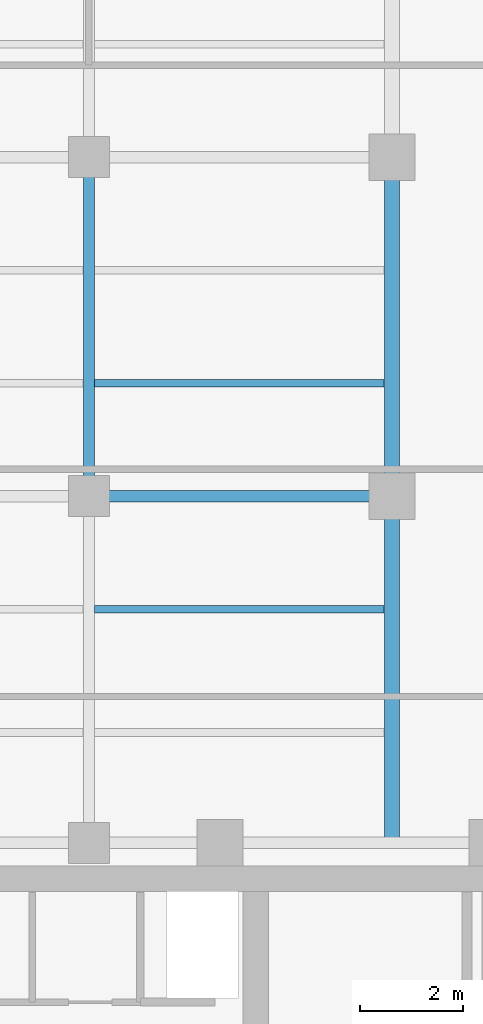
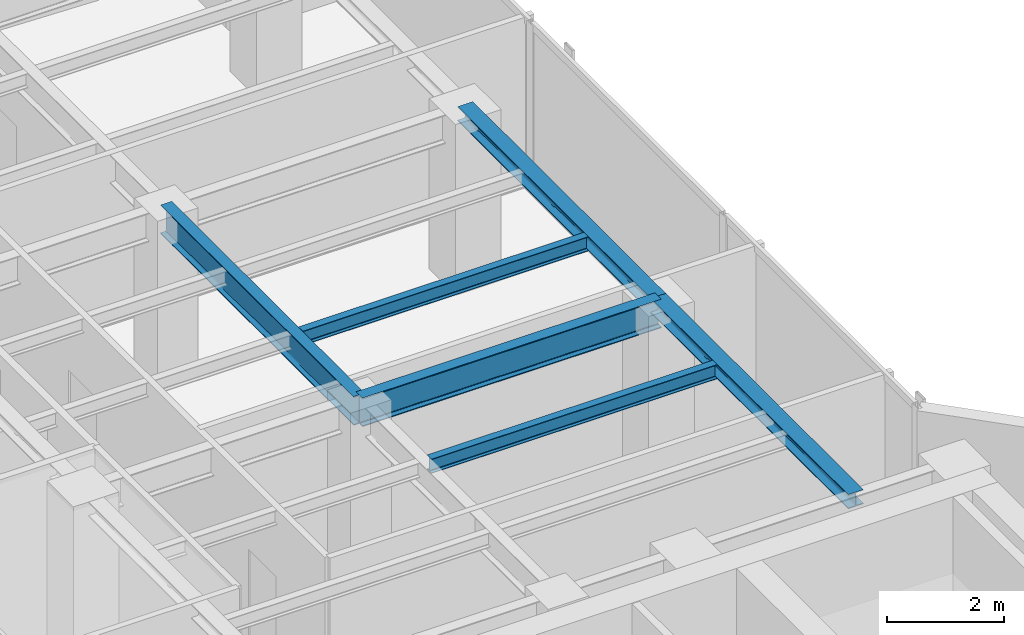
# One storey, part 8 of 23: 6 beams.
"""IFC4 building model written with IfcOpenShell, lengths in metres."""

from ifc_helpers import new_model, si_unit, direction, frame, origin, origin_2d, place, context, subcontext, project, spatial, i_section, extrude, material, material_profile, profile_set, type_object, element, save


model = new_model("IFC4")

# Units and contexts
model_context = context("Model", 3, precision=1e-05, world=origin(), true_north=direction((0.0, 1.0)))
body_context = subcontext(model_context, "Body", "Model", "MODEL_VIEW")
ifc_project = project(units=[si_unit("LENGTHUNIT", "METRE"), si_unit("AREAUNIT", "SQUARE_METRE"), si_unit("VOLUMEUNIT", "CUBIC_METRE"), si_unit("PLANEANGLEUNIT", "RADIAN"), si_unit("MASSUNIT", "GRAM", prefix="KILO")], contexts=[model_context])

# Site, building, storey
site_placement = place(None, origin())
site = spatial("IfcSite", under=ifc_project, at=site_placement, CompositionType="ELEMENT")
building_placement = place(site_placement, origin())
building = spatial("IfcBuilding", under=site, at=building_placement, Name="Kolvaren Waterfront Exchange", CompositionType="ELEMENT")
storey_placement = place(building_placement, frame((0.0, 0.0, 319.800048828125)))
storey = spatial("IfcBuildingStorey", under=building, at=storey_placement, Name="L82", CompositionType="ELEMENT", Elevation=319.800048828125)

# Beams
ifc_material = material(Name="Steel S355", Category="steel")
ifc_material_profile_1 = material_profile(ifc_material, i_section(OverallWidth=0.300048828125, OverallDepth=0.300048828125, WebThickness=0.010986328125, FlangeThickness=0.01904296875, FilletRadius=0.027099609375, at=origin_2d()), Name="HEB300")
ifc_profile_set_1 = profile_set([ifc_material_profile_1], Name="Steel S355")
beam_type_1 = type_object("IfcBeamType", Name="STR-BM-HEB300", PredefinedType="SPANDREL", material=ifc_profile_set_1)
beam_1_placement = place(storey_placement, frame((18.800048828125, 24.449951171875, 3.409912109375), z_axis=(0.0, 1.0, 0.0), x_axis=(-1.0, 0.0, 0.0)))
element("IfcBeam", 1, at=beam_1_placement, inside=storey, type_object=beam_type_1, Name="L82 north-arm edge beam 1", PredefinedType="SPANDREL", context=body_context, shape_type="SweptSolid", body=[
    extrude(i_section(OverallWidth=0.300048828125, OverallDepth=0.300048828125, WebThickness=0.010986328125, FlangeThickness=0.01904296875, FilletRadius=0.027099609375, at=origin_2d()), origin(), (0.0, 0.0, 1.0), 6.75),
])
beam_2_placement = place(storey_placement, frame((18.800048828125, 31.199951171875, 3.409912109375), z_axis=(0.0, 1.0, 0.0), x_axis=(-1.0, 0.0, 0.0)))
element("IfcBeam", 2, at=beam_2_placement, inside=storey, type_object=beam_type_1, Name="L82 north-arm edge beam 2", PredefinedType="SPANDREL", context=body_context, shape_type="SweptSolid", body=[
    extrude(i_section(OverallWidth=0.300048828125, OverallDepth=0.300048828125, WebThickness=0.010986328125, FlangeThickness=0.01904296875, FilletRadius=0.027099609375, at=origin_2d()), origin(), (0.0, 0.0, 1.0), 6.60009765625),
])
ifc_material_profile_2 = material_profile(ifc_material, i_section(OverallWidth=0.14990234375, OverallDepth=0.300048828125, WebThickness=0.007080078125, FlangeThickness=0.0107421875, FilletRadius=0.014892578125, at=origin_2d()), Name="IPE300")
ifc_profile_set_2 = profile_set([ifc_material_profile_2], Name="Steel S355")
beam_type_2 = type_object("IfcBeamType", Name="STR-BM-IPE300", PredefinedType="JOIST", material=ifc_profile_set_2)
for number, where, z_axis, x_axis, name in (
    (3, (13.011962890625, 29.0, 3.409912109375), (1.0, 0.0, 0.0), (0.0, 1.0, 0.0), "L82 north-arm composite joist 2B"),
    (4, (13.011962890625, 33.39990234375, 3.409912109375), (1.0, 0.0, 0.0), (0.0, 1.0, 0.0), "L82 north-arm composite joist 3B"),
):
    element("IfcBeam", number, at=place(storey_placement, frame(where, z_axis=z_axis, x_axis=x_axis)), inside=storey, type_object=beam_type_2, Name=name, PredefinedType="JOIST", context=body_context, shape_type="SweptSolid", body=[
        extrude(i_section(OverallWidth=0.14990234375, OverallDepth=0.300048828125, WebThickness=0.007080078125, FlangeThickness=0.0107421875, FilletRadius=0.014892578125, at=origin_2d()), origin(), (0.0, 0.0, 1.0), 5.635986328125),
    ])
ifc_material_profile_3 = material_profile(ifc_material, i_section(OverallWidth=0.219970703125, OverallDepth=0.60009765625, WebThickness=0.011962890625, FlangeThickness=0.01904296875, FilletRadius=0.02392578125, at=origin_2d()), Name="IPE600")
ifc_profile_set_3 = profile_set([ifc_material_profile_3], Name="Steel S355")
beam_type_3 = type_object("IfcBeamType", Name="STR-BM-IPE600", PredefinedType="BEAM", material=ifc_profile_set_3)
beam_3_placement = place(storey_placement, frame((12.89990234375, 31.199951171875, 3.260009765625), z_axis=(1.0, 0.0, 0.0), x_axis=(0.0, 1.0, 0.0)))
element("IfcBeam", 5, at=beam_3_placement, inside=storey, type_object=beam_type_3, Name="L82 north-arm girder 2B", PredefinedType="BEAM", context=body_context, shape_type="SweptSolid", body=[
    extrude(i_section(OverallWidth=0.219970703125, OverallDepth=0.60009765625, WebThickness=0.011962890625, FlangeThickness=0.01904296875, FilletRadius=0.02392578125, at=origin_2d()), origin(), (0.0, 0.0, 1.0), 5.900146484375),
])
beam_4_placement = place(storey_placement, frame((12.89990234375, 31.199951171875, 3.260009765625), z_axis=(0.0, 1.0, 0.0), x_axis=(-1.0, 0.0, 0.0)))
element("IfcBeam", 6, at=beam_4_placement, inside=storey, type_object=beam_type_3, Name="L82 north-arm edge beam 2", PredefinedType="BEAM", context=body_context, shape_type="SweptSolid", body=[
    extrude(i_section(OverallWidth=0.219970703125, OverallDepth=0.60009765625, WebThickness=0.011962890625, FlangeThickness=0.01904296875, FilletRadius=0.02392578125, at=origin_2d()), origin(), (0.0, 0.0, 1.0), 6.60009765625),
])

save(model, "model.ifc")
